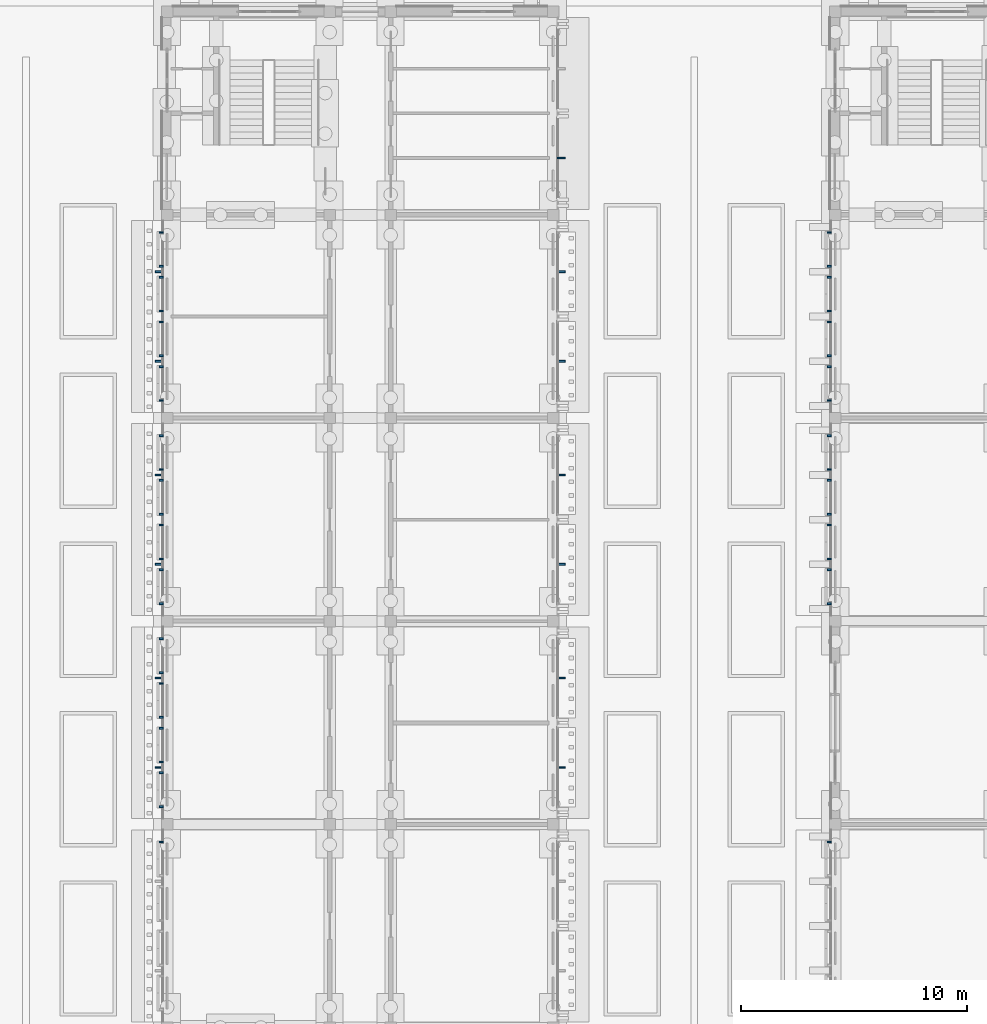
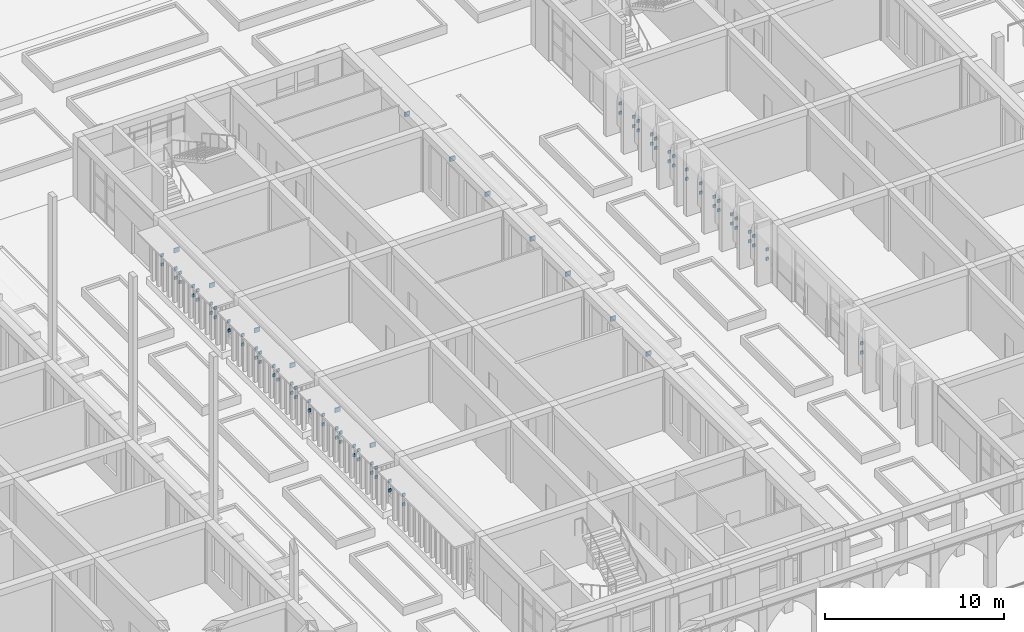
# One storey, part 85 of 161: 97 discrete accessories.
"""IFC4 building model written with IfcOpenShell, lengths in metres."""

import ifcopenshell
import ifcopenshell.guid

model = None  # the IFC model being written
_history = None  # IfcOwnerHistory: only IFC2X3 demands one
_inside = {}  # id of a spatial element -> (the spatial element, [elements in it])
_under = {}  # id of a project, library or spatial element -> (it, [spatial elements below it])
_declared = {}  # id of a project -> (the project, [libraries it declares])
_typed = {}  # id of a type object -> (the type object, [elements of that type])
_made_of = {}  # id of a material, layer set ... -> (it, [elements and type objects made of it])


def new_model(schema):
    """Start an empty IFC model of exactly this schema.

    Asked for "IFC4X3", IfcOpenShell would pick the latest addendum, in which some entities
    have other attributes; the version numbers below select the first issue.
    IFC2X3 requires an IfcOwnerHistory on every rooted entity: one is made here for all.
    """
    global model, _history
    if schema == "IFC4X3":
        model = ifcopenshell.file(schema_version=(4, 3, 0, 0))
    else:
        model = ifcopenshell.file(schema=schema)
    _inside.clear()
    _under.clear()
    _declared.clear()
    _typed.clear()
    _made_of.clear()
    _history = None
    if model.schema == "IFC2X3":
        org = make("IfcOrganization", Name="unknown")
        user = make(
            "IfcPersonAndOrganization",
            ThePerson=make("IfcPerson", FamilyName="unknown"),
            TheOrganization=org,
        )
        app = make(
            "IfcApplication",
            ApplicationDeveloper=org,
            Version="unknown",
            ApplicationFullName="unknown",
            ApplicationIdentifier="unknown",
        )
        _history = make(
            "IfcOwnerHistory",
            OwningUser=user,
            OwningApplication=app,
            ChangeAction="ADDED",
            CreationDate=0,
        )
    return model


def make(cls, **values):
    """One entity of the class cls with the attributes given. An attribute that is None is left unset."""
    return model.create_entity(
        cls, **{name: value for name, value in values.items() if value is not None}
    )


def rooted(cls, **values):
    """An entity with a GlobalId (a new one), such as an element, a storey or a relation."""
    return make(cls, GlobalId=ifcopenshell.guid.new(), OwnerHistory=_history, **values)


def si_unit(unit_type, name, prefix=None):
    """IfcSIUnit, for example si_unit("LENGTHUNIT", "METRE", prefix="MILLI")."""
    return make("IfcSIUnit", UnitType=unit_type, Prefix=prefix, Name=name)


def assignment(units):
    """IfcUnitAssignment: the units of a project."""
    return None if units is None else make("IfcUnitAssignment", Units=units)


def point(xyz):
    """IfcCartesianPoint."""
    return None if xyz is None else make("IfcCartesianPoint", Coordinates=xyz)


def direction(xyz):
    """IfcDirection."""
    return None if xyz is None else make("IfcDirection", DirectionRatios=xyz)


def frame(location, z_axis=None, x_axis=None):
    """IfcAxis2Placement3D, a coordinate frame: its origin and axes. An axis left out is left unset."""
    return make(
        "IfcAxis2Placement3D",
        Location=point(location),
        Axis=direction(z_axis),
        RefDirection=direction(x_axis),
    )


def frame_2d(location, x_axis=None):
    """IfcAxis2Placement2D, a coordinate frame in the plane: its origin and x axis."""
    return make(
        "IfcAxis2Placement2D", Location=point(location), RefDirection=direction(x_axis)
    )


def origin():
    """The frame at (0, 0, 0) with its axes left unset."""
    return frame((0.0, 0.0, 0.0))


def origin_2d():
    """The frame at (0, 0) in the plane with its x axis left unset."""
    return frame_2d((0.0, 0.0))


def place(relative_to, where):
    """IfcLocalPlacement: puts the frame where relative to a parent placement (None: the world)."""
    return make(
        "IfcLocalPlacement", PlacementRelTo=relative_to, RelativePlacement=where
    )


def context(
    kind, dimensions, precision=None, world=None, true_north=None, identifier=None
):
    """IfcGeometricRepresentationContext, for example the 3D "Model" context."""
    return make(
        "IfcGeometricRepresentationContext",
        ContextIdentifier=identifier,
        ContextType=kind,
        CoordinateSpaceDimension=dimensions,
        Precision=precision,
        WorldCoordinateSystem=world,
        TrueNorth=true_north,
    )


def subcontext(parent, identifier, kind, view, scale=None):
    """IfcGeometricRepresentationSubContext, for example "Body" below "Model"."""
    return make(
        "IfcGeometricRepresentationSubContext",
        ContextIdentifier=identifier,
        ContextType=kind,
        ParentContext=parent,
        TargetScale=scale,
        TargetView=view,
    )


def project(units=None, contexts=None):
    """IfcProject with its units and contexts."""
    return rooted(
        "IfcProject",
        Name="project",
        RepresentationContexts=contexts,
        UnitsInContext=assignment(units),
    )


def spatial(cls, under=None, at=None, **own):
    """A site, building, storey or space (cls), placed at a placement, below another one or the project."""
    s = rooted(cls, ObjectPlacement=at, **own)
    if under is not None:
        _under.setdefault(under.id(), (under, []))[1].append(s)
    return s


def profile(cls, at=None, kind="AREA", **sizes):
    """A parametric profile (cls). Its sizes go by their IFC names, for example OverallWidth=200.0."""
    return make(cls, ProfileType=kind, Position=at, **sizes)


def rectangle(**sizes):
    """IfcRectangleProfileDef."""
    return profile("IfcRectangleProfileDef", **sizes)


def extrude(swept, where, along, depth):
    """IfcExtrudedAreaSolid: the profile swept, set in the frame where, extruded along a direction by depth."""
    return make(
        "IfcExtrudedAreaSolid",
        SweptArea=swept,
        Position=where,
        ExtrudedDirection=direction(along),
        Depth=depth,
    )


def shape(context_of_items, identifier, shape_type, items):
    """IfcShapeRepresentation: the items that make up one representation, for example the "Body"."""
    return make(
        "IfcShapeRepresentation",
        ContextOfItems=context_of_items,
        RepresentationIdentifier=identifier,
        RepresentationType=shape_type,
        Items=items,
    )


def material(Name=None, Category=None):
    """IfcMaterial."""
    return make("IfcMaterial", Name=Name, Category=Category)


def made_of(thing, what):
    """Note that an element or type object is made of a material, layer set ...; save() writes the relation."""
    if what is not None:
        _made_of.setdefault(what.id(), (what, []))[1].append(thing)
    return thing


def type_object(cls, material=None, **own):
    """A type object (cls), such as IfcWallType, which elements share."""
    return made_of(rooted(cls, **own), material)


def element(
    cls,
    number,
    at=None,
    inside=None,
    cuts=None,
    type_object=None,
    material=None,
    context=None,
    identifier="Body",
    shape_type=None,
    held_by="IfcProductDefinitionShape",
    body=None,
    shapes=None,
    **own,
):
    """One element of the class cls, such as IfcWall. Its Tag is "e" and its number.

    at: its placement. inside: the storey or other place that contains it. cuts: it is an
    opening in that element (IfcRelVoidsElement). A single representation is given by context,
    identifier, shape_type and body (its items); several are given by shapes. held_by: the class
    of the entity that holds the representations. save() writes the other relations.
    """
    e = rooted(cls, Tag="e%d" % number, ObjectPlacement=at, **own)
    if body is not None:
        shapes = [shape(context, identifier, shape_type, body)]
    if shapes is not None:
        e.Representation = make(held_by, Representations=shapes)
    if inside is not None:
        _inside.setdefault(inside.id(), (inside, []))[1].append(e)
    if cuts is not None:
        rooted(
            "IfcRelVoidsElement", RelatingBuildingElement=cuts, RelatedOpeningElement=e
        )
    if type_object is not None:
        _typed.setdefault(type_object.id(), (type_object, []))[1].append(e)
    return made_of(e, material)


def aggregate(whole, parts):
    """IfcRelAggregates: a whole, such as a stair, and the parts it consists of."""
    return rooted("IfcRelAggregates", RelatingObject=whole, RelatedObjects=parts)


def save(model, path):
    """Write the relations noted so far, then the file.

    IfcRelAggregates (storeys below a building ...), IfcRelContainedInSpatialStructure (elements
    in a storey), IfcRelDefinesByType, IfcRelAssociatesMaterial and IfcRelDeclares: one each for
    every whole, place, type object, material and project.
    """
    for whole, parts in _under.values():
        aggregate(whole, parts)
    for where, things in _inside.values():
        rooted(
            "IfcRelContainedInSpatialStructure",
            RelatedElements=things,
            RelatingStructure=where,
        )
    for kind, things in _typed.values():
        rooted("IfcRelDefinesByType", RelatedObjects=things, RelatingType=kind)
    for what, things in _made_of.values():
        rooted("IfcRelAssociatesMaterial", RelatedObjects=things, RelatingMaterial=what)
    for by, libraries in _declared.values():
        rooted("IfcRelDeclares", RelatingContext=by, RelatedDefinitions=libraries)
    model.write(path)


model = new_model("IFC4")

# Units and contexts
model_context = context("Model", 3, precision=1e-05, world=origin(), true_north=direction((0.0, 1.0)))
body_context = subcontext(model_context, "Body", "Model", "MODEL_VIEW")
ifc_project = project(units=[si_unit("LENGTHUNIT", "METRE"), si_unit("AREAUNIT", "SQUARE_METRE"), si_unit("VOLUMEUNIT", "CUBIC_METRE"), si_unit("PLANEANGLEUNIT", "RADIAN"), si_unit("MASSUNIT", "GRAM", prefix="KILO")], contexts=[model_context])

# Site, building, storey
site_placement = place(None, origin())
site = spatial("IfcSite", under=ifc_project, at=site_placement, CompositionType="ELEMENT")
building_placement = place(site_placement, origin())
building = spatial("IfcBuilding", under=site, at=building_placement, Name="Elbe Cascade School", CompositionType="ELEMENT")
storey_placement = place(building_placement, origin())
storey = spatial("IfcBuildingStorey", under=building, at=storey_placement, Name="L00", CompositionType="ELEMENT", Elevation=0.0)

# Discrete accessories
ifc_material = material(Name="Steel S355J2, hot-dip galvanised", Category="steel")
discrete_accessory_type = type_object("IfcDiscreteAccessoryType", Name="Bars envelope Bracket, galvanised steel", PredefinedType="BRACKET", material=ifc_material)
for number, where, z_axis, x_axis, name in (
    (1, (127.929931640625, 23.219970703125, 1.2998046875), (0.0, 0.0, 1.0), (0.0, 1.0, 0.0), "Bracket AC7 jali.w.2.br4rl"),
    (2, (127.929931640625, 23.219970703125, 1.93994140625), (0.0, 0.0, 1.0), (0.0, 1.0, 0.0), "Bracket AC7 jali.w.2.br4ru"),
):
    element("IfcDiscreteAccessory", number, at=place(storey_placement, frame(where, z_axis=z_axis, x_axis=x_axis)), inside=storey, type_object=discrete_accessory_type, Name=name, PredefinedType="BRACKET", context=body_context, shape_type="SweptSolid", body=[
        extrude(rectangle(XDim=0.080078125, YDim=0.179931640625, at=origin_2d()), origin(), (0.0, 0.0, 1.0), 0.199951171875),
    ])
for number, where, z_axis, x_axis, name in (
    (3, (127.844970703125, 26.52001953125, 3.330078125), (0.0, 0.0, 1.0), (0.0, 1.0, 0.0), "Bracket AC7 eave.w.3.br1"),
    (4, (127.844970703125, 30.47998046875, 3.330078125), (0.0, 0.0, 1.0), (0.0, 1.0, 0.0), "Bracket AC7 eave.w.3.br2"),
):
    element("IfcDiscreteAccessory", number, at=place(storey_placement, frame(where, z_axis=z_axis, x_axis=x_axis)), inside=storey, type_object=discrete_accessory_type, Name=name, PredefinedType="BRACKET", context=body_context, shape_type="SweptSolid", body=[
        extrude(rectangle(XDim=0.080078125, YDim=0.35009765625, at=origin_2d()), origin(), (0.0, 0.0, 1.0), 0.300048828125),
    ])
for number, where, z_axis, x_axis, name in (
    (5, (127.929931640625, 24.780029296875, 1.2998046875), (0.0, 0.0, 1.0), (0.0, 1.0, 0.0), "Bracket AC7 jali.w.3.br1ll"),
    (6, (127.929931640625, 24.780029296875, 1.93994140625), (0.0, 0.0, 1.0), (0.0, 1.0, 0.0), "Bracket AC7 jali.w.3.br1lu"),
    (7, (127.929931640625, 26.280029296875, 1.2998046875), (0.0, 0.0, 1.0), (0.0, 1.0, 0.0), "Bracket AC7 jali.w.3.br1rl"),
    (8, (127.929931640625, 26.280029296875, 1.93994140625), (0.0, 0.0, 1.0), (0.0, 1.0, 0.0), "Bracket AC7 jali.w.3.br1ru"),
    (9, (127.929931640625, 26.760009765625, 1.2998046875), (0.0, 0.0, 1.0), (0.0, 1.0, 0.0), "Bracket AC7 jali.w.3.br2ll"),
    (10, (127.929931640625, 26.760009765625, 1.93994140625), (0.0, 0.0, 1.0), (0.0, 1.0, 0.0), "Bracket AC7 jali.w.3.br2lu"),
    (11, (127.929931640625, 28.260009765625, 1.2998046875), (0.0, 0.0, 1.0), (0.0, 1.0, 0.0), "Bracket AC7 jali.w.3.br2rl"),
    (12, (127.929931640625, 28.260009765625, 1.93994140625), (0.0, 0.0, 1.0), (0.0, 1.0, 0.0), "Bracket AC7 jali.w.3.br2ru"),
    (13, (127.929931640625, 28.739990234375, 1.2998046875), (0.0, 0.0, 1.0), (0.0, 1.0, 0.0), "Bracket AC7 jali.w.3.br3ll"),
    (14, (127.929931640625, 28.739990234375, 1.93994140625), (0.0, 0.0, 1.0), (0.0, 1.0, 0.0), "Bracket AC7 jali.w.3.br3lu"),
    (15, (127.929931640625, 30.239990234375, 1.2998046875), (0.0, 0.0, 1.0), (0.0, 1.0, 0.0), "Bracket AC7 jali.w.3.br3rl"),
    (16, (127.929931640625, 30.239990234375, 1.93994140625), (0.0, 0.0, 1.0), (0.0, 1.0, 0.0), "Bracket AC7 jali.w.3.br3ru"),
    (17, (127.929931640625, 30.719970703125, 1.2998046875), (0.0, 0.0, 1.0), (0.0, 1.0, 0.0), "Bracket AC7 jali.w.3.br4ll"),
    (18, (127.929931640625, 30.719970703125, 1.93994140625), (0.0, 0.0, 1.0), (0.0, 1.0, 0.0), "Bracket AC7 jali.w.3.br4lu"),
    (19, (127.929931640625, 32.219970703125, 1.2998046875), (0.0, 0.0, 1.0), (0.0, 1.0, 0.0), "Bracket AC7 jali.w.3.br4rl"),
    (20, (127.929931640625, 32.219970703125, 1.93994140625), (0.0, 0.0, 1.0), (0.0, 1.0, 0.0), "Bracket AC7 jali.w.3.br4ru"),
):
    element("IfcDiscreteAccessory", number, at=place(storey_placement, frame(where, z_axis=z_axis, x_axis=x_axis)), inside=storey, type_object=discrete_accessory_type, Name=name, PredefinedType="BRACKET", context=body_context, shape_type="SweptSolid", body=[
        extrude(rectangle(XDim=0.080078125, YDim=0.179931640625, at=origin_2d()), origin(), (0.0, 0.0, 1.0), 0.199951171875),
    ])
for number, where, z_axis, x_axis, name in (
    (21, (127.844970703125, 35.52001953125, 3.330078125), (0.0, 0.0, 1.0), (0.0, 1.0, 0.0), "Bracket AC7 eave.w.4.br1"),
    (22, (127.844970703125, 39.47998046875, 3.330078125), (0.0, 0.0, 1.0), (0.0, 1.0, 0.0), "Bracket AC7 eave.w.4.br2"),
):
    element("IfcDiscreteAccessory", number, at=place(storey_placement, frame(where, z_axis=z_axis, x_axis=x_axis)), inside=storey, type_object=discrete_accessory_type, Name=name, PredefinedType="BRACKET", context=body_context, shape_type="SweptSolid", body=[
        extrude(rectangle(XDim=0.080078125, YDim=0.35009765625, at=origin_2d()), origin(), (0.0, 0.0, 1.0), 0.300048828125),
    ])
for number, where, z_axis, x_axis, name in (
    (23, (127.929931640625, 33.780029296875, 1.2998046875), (0.0, 0.0, 1.0), (0.0, 1.0, 0.0), "Bracket AC7 jali.w.4.br1ll"),
    (24, (127.929931640625, 33.780029296875, 1.93994140625), (0.0, 0.0, 1.0), (0.0, 1.0, 0.0), "Bracket AC7 jali.w.4.br1lu"),
    (25, (127.929931640625, 35.280029296875, 1.2998046875), (0.0, 0.0, 1.0), (0.0, 1.0, 0.0), "Bracket AC7 jali.w.4.br1rl"),
    (26, (127.929931640625, 35.280029296875, 1.93994140625), (0.0, 0.0, 1.0), (0.0, 1.0, 0.0), "Bracket AC7 jali.w.4.br1ru"),
    (27, (127.929931640625, 35.760009765625, 1.2998046875), (0.0, 0.0, 1.0), (0.0, 1.0, 0.0), "Bracket AC7 jali.w.4.br2ll"),
    (28, (127.929931640625, 35.760009765625, 1.93994140625), (0.0, 0.0, 1.0), (0.0, 1.0, 0.0), "Bracket AC7 jali.w.4.br2lu"),
    (29, (127.929931640625, 37.260009765625, 1.2998046875), (0.0, 0.0, 1.0), (0.0, 1.0, 0.0), "Bracket AC7 jali.w.4.br2rl"),
    (30, (127.929931640625, 37.260009765625, 1.93994140625), (0.0, 0.0, 1.0), (0.0, 1.0, 0.0), "Bracket AC7 jali.w.4.br2ru"),
    (31, (127.929931640625, 37.739990234375, 1.2998046875), (0.0, 0.0, 1.0), (0.0, 1.0, 0.0), "Bracket AC7 jali.w.4.br3ll"),
    (32, (127.929931640625, 37.739990234375, 1.93994140625), (0.0, 0.0, 1.0), (0.0, 1.0, 0.0), "Bracket AC7 jali.w.4.br3lu"),
    (33, (127.929931640625, 39.239990234375, 1.2998046875), (0.0, 0.0, 1.0), (0.0, 1.0, 0.0), "Bracket AC7 jali.w.4.br3rl"),
    (34, (127.929931640625, 39.239990234375, 1.93994140625), (0.0, 0.0, 1.0), (0.0, 1.0, 0.0), "Bracket AC7 jali.w.4.br3ru"),
    (35, (127.929931640625, 39.719970703125, 1.2998046875), (0.0, 0.0, 1.0), (0.0, 1.0, 0.0), "Bracket AC7 jali.w.4.br4ll"),
    (36, (127.929931640625, 39.719970703125, 1.93994140625), (0.0, 0.0, 1.0), (0.0, 1.0, 0.0), "Bracket AC7 jali.w.4.br4lu"),
    (37, (127.929931640625, 41.219970703125, 1.2998046875), (0.0, 0.0, 1.0), (0.0, 1.0, 0.0), "Bracket AC7 jali.w.4.br4rl"),
    (38, (127.929931640625, 41.219970703125, 1.93994140625), (0.0, 0.0, 1.0), (0.0, 1.0, 0.0), "Bracket AC7 jali.w.4.br4ru"),
):
    element("IfcDiscreteAccessory", number, at=place(storey_placement, frame(where, z_axis=z_axis, x_axis=x_axis)), inside=storey, type_object=discrete_accessory_type, Name=name, PredefinedType="BRACKET", context=body_context, shape_type="SweptSolid", body=[
        extrude(rectangle(XDim=0.080078125, YDim=0.179931640625, at=origin_2d()), origin(), (0.0, 0.0, 1.0), 0.199951171875),
    ])
for number, where, z_axis, x_axis, name in (
    (39, (127.844970703125, 44.52001953125, 3.330078125), (0.0, 0.0, 1.0), (0.0, 1.0, 0.0), "Bracket AC7 eave.w.5.br1"),
    (40, (127.844970703125, 48.47998046875, 3.330078125), (0.0, 0.0, 1.0), (0.0, 1.0, 0.0), "Bracket AC7 eave.w.5.br2"),
):
    element("IfcDiscreteAccessory", number, at=place(storey_placement, frame(where, z_axis=z_axis, x_axis=x_axis)), inside=storey, type_object=discrete_accessory_type, Name=name, PredefinedType="BRACKET", context=body_context, shape_type="SweptSolid", body=[
        extrude(rectangle(XDim=0.080078125, YDim=0.35009765625, at=origin_2d()), origin(), (0.0, 0.0, 1.0), 0.300048828125),
    ])
for number, where, z_axis, x_axis, name in (
    (41, (127.929931640625, 42.780029296875, 1.2998046875), (0.0, 0.0, 1.0), (0.0, 1.0, 0.0), "Bracket AC7 jali.w.5.br1ll"),
    (42, (127.929931640625, 42.780029296875, 1.93994140625), (0.0, 0.0, 1.0), (0.0, 1.0, 0.0), "Bracket AC7 jali.w.5.br1lu"),
    (43, (127.929931640625, 44.280029296875, 1.2998046875), (0.0, 0.0, 1.0), (0.0, 1.0, 0.0), "Bracket AC7 jali.w.5.br1rl"),
    (44, (127.929931640625, 44.280029296875, 1.93994140625), (0.0, 0.0, 1.0), (0.0, 1.0, 0.0), "Bracket AC7 jali.w.5.br1ru"),
    (45, (127.929931640625, 44.760009765625, 1.2998046875), (0.0, 0.0, 1.0), (0.0, 1.0, 0.0), "Bracket AC7 jali.w.5.br2ll"),
    (46, (127.929931640625, 44.760009765625, 1.93994140625), (0.0, 0.0, 1.0), (0.0, 1.0, 0.0), "Bracket AC7 jali.w.5.br2lu"),
    (47, (127.929931640625, 46.260009765625, 1.2998046875), (0.0, 0.0, 1.0), (0.0, 1.0, 0.0), "Bracket AC7 jali.w.5.br2rl"),
    (48, (127.929931640625, 46.260009765625, 1.93994140625), (0.0, 0.0, 1.0), (0.0, 1.0, 0.0), "Bracket AC7 jali.w.5.br2ru"),
    (49, (127.929931640625, 46.739990234375, 1.2998046875), (0.0, 0.0, 1.0), (0.0, 1.0, 0.0), "Bracket AC7 jali.w.5.br3ll"),
    (50, (127.929931640625, 46.739990234375, 1.93994140625), (0.0, 0.0, 1.0), (0.0, 1.0, 0.0), "Bracket AC7 jali.w.5.br3lu"),
    (51, (127.929931640625, 48.239990234375, 1.2998046875), (0.0, 0.0, 1.0), (0.0, 1.0, 0.0), "Bracket AC7 jali.w.5.br3rl"),
    (52, (127.929931640625, 48.239990234375, 1.93994140625), (0.0, 0.0, 1.0), (0.0, 1.0, 0.0), "Bracket AC7 jali.w.5.br3ru"),
    (53, (127.929931640625, 48.719970703125, 1.2998046875), (0.0, 0.0, 1.0), (0.0, 1.0, 0.0), "Bracket AC7 jali.w.5.br4ll"),
    (54, (127.929931640625, 48.719970703125, 1.93994140625), (0.0, 0.0, 1.0), (0.0, 1.0, 0.0), "Bracket AC7 jali.w.5.br4lu"),
    (55, (127.929931640625, 50.219970703125, 1.2998046875), (0.0, 0.0, 1.0), (0.0, 1.0, 0.0), "Bracket AC7 jali.w.5.br4rl"),
    (56, (127.929931640625, 50.219970703125, 1.93994140625), (0.0, 0.0, 1.0), (0.0, 1.0, 0.0), "Bracket AC7 jali.w.5.br4ru"),
):
    element("IfcDiscreteAccessory", number, at=place(storey_placement, frame(where, z_axis=z_axis, x_axis=x_axis)), inside=storey, type_object=discrete_accessory_type, Name=name, PredefinedType="BRACKET", context=body_context, shape_type="SweptSolid", body=[
        extrude(rectangle(XDim=0.080078125, YDim=0.179931640625, at=origin_2d()), origin(), (0.0, 0.0, 1.0), 0.199951171875),
    ])
for number, where, z_axis, x_axis, name in (
    (57, (145.655029296875, 26.52001953125, 3.330078125), (0.0, 0.0, 1.0), (0.0, 1.0, 0.0), "Bracket AC7 eave.e.3.br1"),
    (58, (145.655029296875, 30.47998046875, 3.330078125), (0.0, 0.0, 1.0), (0.0, 1.0, 0.0), "Bracket AC7 eave.e.3.br2"),
    (59, (145.655029296875, 35.52001953125, 3.330078125), (0.0, 0.0, 1.0), (0.0, 1.0, 0.0), "Bracket AC7 eave.e.4.br1"),
    (60, (145.655029296875, 39.47998046875, 3.330078125), (0.0, 0.0, 1.0), (0.0, 1.0, 0.0), "Bracket AC7 eave.e.4.br2"),
    (61, (145.655029296875, 44.52001953125, 3.330078125), (0.0, 0.0, 1.0), (0.0, 1.0, 0.0), "Bracket AC7 eave.e.5.br1"),
    (62, (145.655029296875, 48.47998046875, 3.330078125), (0.0, 0.0, 1.0), (0.0, 1.0, 0.0), "Bracket AC7 eave.e.5.br2"),
    (63, (145.655029296875, 53.52001953125, 3.330078125), (0.0, 0.0, 1.0), (0.0, 1.0, 0.0), "Bracket AC7 eave.e.6.br1"),
):
    element("IfcDiscreteAccessory", number, at=place(storey_placement, frame(where, z_axis=z_axis, x_axis=x_axis)), inside=storey, type_object=discrete_accessory_type, Name=name, PredefinedType="BRACKET", context=body_context, shape_type="SweptSolid", body=[
        extrude(rectangle(XDim=0.080078125, YDim=0.35009765625, at=origin_2d()), origin(), (0.0, 0.0, 1.0), 0.300048828125),
    ])
for number, where, z_axis, x_axis, name in (
    (64, (157.530029296875, 23.219970703125, 1.2998046875), (0.0, 0.0, 1.0), (0.0, 1.0, 0.0), "Bracket AC7 jali.w.2.br4rl"),
    (65, (157.530029296875, 23.219970703125, 1.93994140625), (0.0, 0.0, 1.0), (0.0, 1.0, 0.0), "Bracket AC7 jali.w.2.br4ru"),
    (66, (157.530029296875, 33.780029296875, 1.2998046875), (0.0, 0.0, 1.0), (0.0, 1.0, 0.0), "Bracket AC7 jali.w.4.br1ll"),
    (67, (157.530029296875, 33.780029296875, 1.93994140625), (0.0, 0.0, 1.0), (0.0, 1.0, 0.0), "Bracket AC7 jali.w.4.br1lu"),
    (68, (157.530029296875, 35.280029296875, 1.2998046875), (0.0, 0.0, 1.0), (0.0, 1.0, 0.0), "Bracket AC7 jali.w.4.br1rl"),
    (69, (157.530029296875, 35.280029296875, 1.93994140625), (0.0, 0.0, 1.0), (0.0, 1.0, 0.0), "Bracket AC7 jali.w.4.br1ru"),
    (70, (157.530029296875, 35.760009765625, 1.2998046875), (0.0, 0.0, 1.0), (0.0, 1.0, 0.0), "Bracket AC7 jali.w.4.br2ll"),
    (71, (157.530029296875, 35.760009765625, 1.93994140625), (0.0, 0.0, 1.0), (0.0, 1.0, 0.0), "Bracket AC7 jali.w.4.br2lu"),
    (72, (157.530029296875, 37.260009765625, 1.2998046875), (0.0, 0.0, 1.0), (0.0, 1.0, 0.0), "Bracket AC7 jali.w.4.br2rl"),
    (73, (157.530029296875, 37.260009765625, 1.93994140625), (0.0, 0.0, 1.0), (0.0, 1.0, 0.0), "Bracket AC7 jali.w.4.br2ru"),
    (74, (157.530029296875, 37.739990234375, 1.2998046875), (0.0, 0.0, 1.0), (0.0, 1.0, 0.0), "Bracket AC7 jali.w.4.br3ll"),
    (75, (157.530029296875, 37.739990234375, 1.93994140625), (0.0, 0.0, 1.0), (0.0, 1.0, 0.0), "Bracket AC7 jali.w.4.br3lu"),
    (76, (157.530029296875, 39.239990234375, 1.2998046875), (0.0, 0.0, 1.0), (0.0, 1.0, 0.0), "Bracket AC7 jali.w.4.br3rl"),
    (77, (157.530029296875, 39.239990234375, 1.93994140625), (0.0, 0.0, 1.0), (0.0, 1.0, 0.0), "Bracket AC7 jali.w.4.br3ru"),
    (78, (157.530029296875, 39.719970703125, 1.2998046875), (0.0, 0.0, 1.0), (0.0, 1.0, 0.0), "Bracket AC7 jali.w.4.br4ll"),
    (79, (157.530029296875, 39.719970703125, 1.93994140625), (0.0, 0.0, 1.0), (0.0, 1.0, 0.0), "Bracket AC7 jali.w.4.br4lu"),
    (80, (157.530029296875, 41.219970703125, 1.2998046875), (0.0, 0.0, 1.0), (0.0, 1.0, 0.0), "Bracket AC7 jali.w.4.br4rl"),
    (81, (157.530029296875, 41.219970703125, 1.93994140625), (0.0, 0.0, 1.0), (0.0, 1.0, 0.0), "Bracket AC7 jali.w.4.br4ru"),
    (82, (157.530029296875, 42.780029296875, 1.2998046875), (0.0, 0.0, 1.0), (0.0, 1.0, 0.0), "Bracket AC7 jali.w.5.br1ll"),
    (83, (157.530029296875, 42.780029296875, 1.93994140625), (0.0, 0.0, 1.0), (0.0, 1.0, 0.0), "Bracket AC7 jali.w.5.br1lu"),
    (84, (157.530029296875, 44.280029296875, 1.2998046875), (0.0, 0.0, 1.0), (0.0, 1.0, 0.0), "Bracket AC7 jali.w.5.br1rl"),
    (85, (157.530029296875, 44.280029296875, 1.93994140625), (0.0, 0.0, 1.0), (0.0, 1.0, 0.0), "Bracket AC7 jali.w.5.br1ru"),
    (86, (157.530029296875, 44.760009765625, 1.2998046875), (0.0, 0.0, 1.0), (0.0, 1.0, 0.0), "Bracket AC7 jali.w.5.br2ll"),
    (87, (157.530029296875, 44.760009765625, 1.93994140625), (0.0, 0.0, 1.0), (0.0, 1.0, 0.0), "Bracket AC7 jali.w.5.br2lu"),
    (88, (157.530029296875, 46.260009765625, 1.2998046875), (0.0, 0.0, 1.0), (0.0, 1.0, 0.0), "Bracket AC7 jali.w.5.br2rl"),
    (89, (157.530029296875, 46.260009765625, 1.93994140625), (0.0, 0.0, 1.0), (0.0, 1.0, 0.0), "Bracket AC7 jali.w.5.br2ru"),
    (90, (157.530029296875, 46.739990234375, 1.2998046875), (0.0, 0.0, 1.0), (0.0, 1.0, 0.0), "Bracket AC7 jali.w.5.br3ll"),
    (91, (157.530029296875, 46.739990234375, 1.93994140625), (0.0, 0.0, 1.0), (0.0, 1.0, 0.0), "Bracket AC7 jali.w.5.br3lu"),
    (92, (157.530029296875, 48.239990234375, 1.2998046875), (0.0, 0.0, 1.0), (0.0, 1.0, 0.0), "Bracket AC7 jali.w.5.br3rl"),
    (93, (157.530029296875, 48.239990234375, 1.93994140625), (0.0, 0.0, 1.0), (0.0, 1.0, 0.0), "Bracket AC7 jali.w.5.br3ru"),
    (94, (157.530029296875, 48.719970703125, 1.2998046875), (0.0, 0.0, 1.0), (0.0, 1.0, 0.0), "Bracket AC7 jali.w.5.br4ll"),
    (95, (157.530029296875, 48.719970703125, 1.93994140625), (0.0, 0.0, 1.0), (0.0, 1.0, 0.0), "Bracket AC7 jali.w.5.br4lu"),
    (96, (157.530029296875, 50.219970703125, 1.2998046875), (0.0, 0.0, 1.0), (0.0, 1.0, 0.0), "Bracket AC7 jali.w.5.br4rl"),
    (97, (157.530029296875, 50.219970703125, 1.93994140625), (0.0, 0.0, 1.0), (0.0, 1.0, 0.0), "Bracket AC7 jali.w.5.br4ru"),
):
    element("IfcDiscreteAccessory", number, at=place(storey_placement, frame(where, z_axis=z_axis, x_axis=x_axis)), inside=storey, type_object=discrete_accessory_type, Name=name, PredefinedType="BRACKET", context=body_context, shape_type="SweptSolid", body=[
        extrude(rectangle(XDim=0.080078125, YDim=0.179931640625, at=origin_2d()), origin(), (0.0, 0.0, 1.0), 0.199951171875),
    ])

save(model, "model.ifc")
